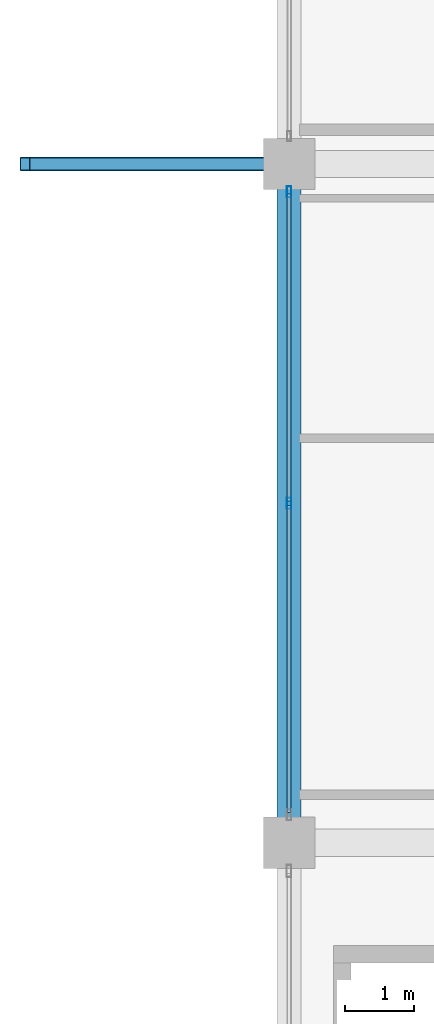
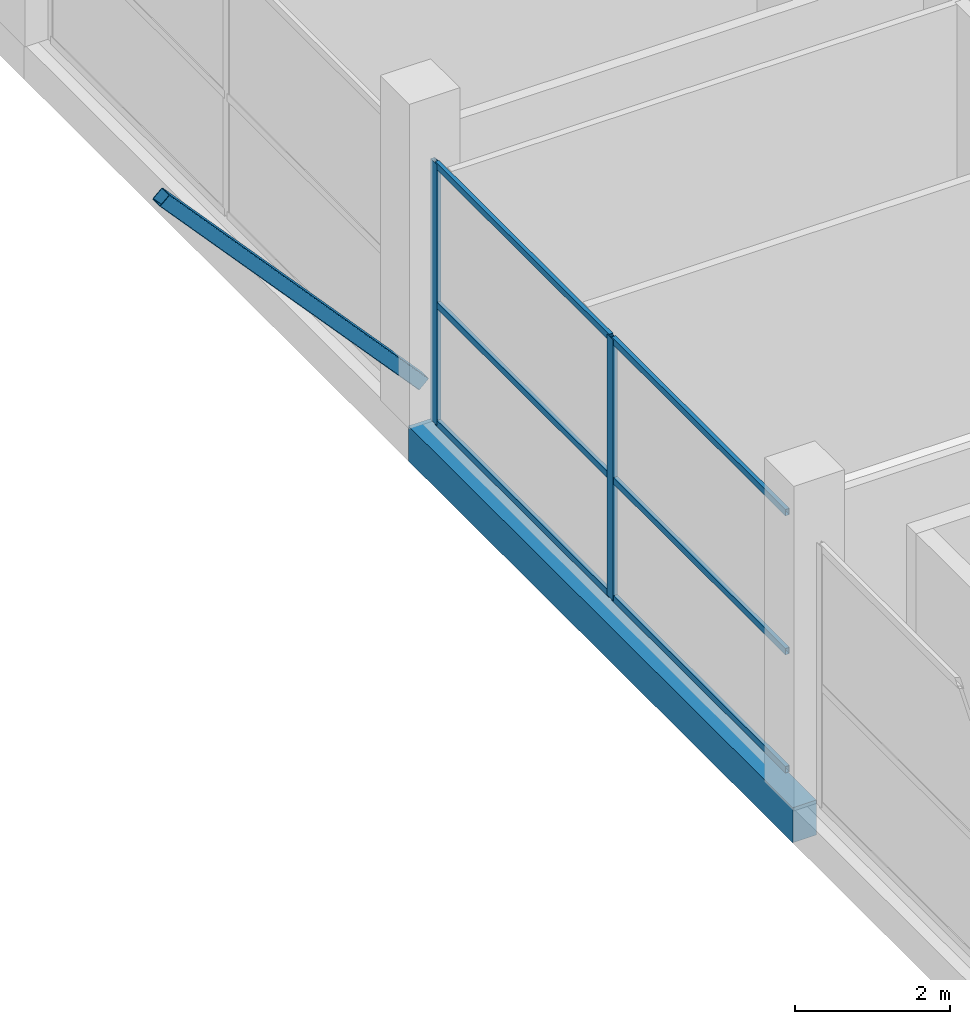
# One storey, part 19 of 67: 9 members, 1 beam, 1 element without a shape of its own.
"""IFC4 building model written with IfcOpenShell, lengths in metres."""

from ifc_helpers import new_model, si_unit, direction, frame, origin, origin_2d, place, context, subcontext, project, spatial, rectangle, hollow_rectangle, extrude, material, layer, layer_set, material_profile, profile_set, type_object, element, aggregate, save


model = new_model("IFC4")

# Units and contexts
model_context = context("Model", 3, precision=1e-05, world=origin(), true_north=direction((0.0, 1.0)))
body_context = subcontext(model_context, "Body", "Model", "MODEL_VIEW")
ifc_project = project(units=[si_unit("LENGTHUNIT", "METRE"), si_unit("AREAUNIT", "SQUARE_METRE"), si_unit("VOLUMEUNIT", "CUBIC_METRE"), si_unit("PLANEANGLEUNIT", "RADIAN"), si_unit("MASSUNIT", "GRAM", prefix="KILO")], contexts=[model_context])

# Site, building, storey
site_placement = place(None, origin())
site = spatial("IfcSite", under=ifc_project, at=site_placement, CompositionType="ELEMENT")
building_placement = place(site_placement, origin())
building = spatial("IfcBuilding", under=site, at=building_placement, Name="Sillaruma Civic Art Gallery", CompositionType="ELEMENT")
storey_placement = place(building_placement, frame((0.0, 0.0, 46.919921875)))
storey = spatial("IfcBuildingStorey", under=building, at=storey_placement, Name="L09", CompositionType="ELEMENT", Elevation=46.919921875)

# Beam
ifc_material_1 = material(Name="Concrete H35 (35 MPa)", Category="concrete")
ifc_material_profile_1 = material_profile(ifc_material_1, rectangle(XDim=0.35009765625, YDim=0.550048828125, at=origin_2d()), Name="RCB350x550")
ifc_profile_set_1 = profile_set([ifc_material_profile_1], Name="Concrete H35 (35 MPa)")
beam_type = type_object("IfcBeamType", Name="BM-SPANDREL-RCB350x550", PredefinedType="SPANDREL", material=ifc_profile_set_1)
beam_placement = place(storey_placement, frame((62.0, 49.5, -0.52490234375), z_axis=(0.0, 1.0, 0.0), x_axis=(-1.0, 0.0, 0.0)))
element("IfcBeam", 1, at=beam_placement, inside=storey, type_object=beam_type, Name="Beam BS-04 (L08:F:6-7)", PredefinedType="SPANDREL", context=body_context, shape_type="SweptSolid", body=[
    extrude(rectangle(XDim=0.35009765625, YDim=0.550048828125, at=origin_2d()), origin(), (0.0, 0.0, 1.0), 9.89990234375),
])

# Curtain wall, members
ifc_material_2 = material(Name="Thermally Broken Extruded Aluminium 6063-T6", Category="aluminium")
ifc_layer = layer(ifc_material_2, 0.159912109375, Name="Thermally Broken Extruded Aluminium 6063-T6")
ifc_layer_set = layer_set([ifc_layer], Name="Thermally Broken Extruded Aluminium 6063-T6")
curtain_wall_type = type_object("IfcCurtainWallType", Name="CW-UNI-62", PredefinedType="NOTDEFINED", material=ifc_layer_set)
curtain_wall_placement = place(storey_placement, origin())
curtain_wall = element("IfcCurtainWall", 2, at=curtain_wall_placement, inside=storey, type_object=curtain_wall_type, Name="Unitised Curtain Wall CW-62 (CW-L09-WBW-4)", PredefinedType="NOTDEFINED")
ifc_material_profile_2 = material_profile(ifc_material_2, hollow_rectangle(XDim=0.06494140625, YDim=0.159912109375, WallThickness=0.00390625, at=origin_2d()), Name="CWM65x160")
ifc_profile_set_2 = profile_set([ifc_material_profile_2], Name="Thermally Broken Extruded Aluminium 6063-T6")
member_type_1 = type_object("IfcMemberType", Name="MEM-MUL-CWM65x160", PredefinedType="MULLION", material=ifc_profile_set_2)
member_1_placement = place(storey_placement, frame((62.0, 54.449951171875, 0.0), z_axis=(0.0, 0.0, 1.0), x_axis=(-1.0, 0.0, 0.0)))
member_1 = element("IfcMember", 3, at=member_1_placement, type_object=member_type_1, Name="CW-62 mullion 2", PredefinedType="MULLION", context=body_context, shape_type="SweptSolid", body=[
    extrude(hollow_rectangle(XDim=0.06494140625, YDim=0.159912109375, WallThickness=0.00390625, at=origin_2d()), origin(), (0.0, 0.0, 1.0), 4.10009765625),
])
member_2_placement = place(storey_placement, frame((62.0, 58.992431640625, 0.0), z_axis=(0.0, 0.0, 1.0), x_axis=(-1.0, 0.0, 0.0)))
member_2 = element("IfcMember", 4, at=member_2_placement, type_object=member_type_1, Name="CW-62 mullion 3", PredefinedType="MULLION", context=body_context, shape_type="SweptSolid", body=[
    extrude(hollow_rectangle(XDim=0.06494140625, YDim=0.159912109375, WallThickness=0.00390625, at=origin_2d()), origin(), (0.0, 0.0, 1.0), 4.10009765625),
])

# Member
ifc_material_3 = material(Name="Structural Steel ASTM A500 Gr.C", Category="steel")
ifc_material_profile_3 = material_profile(ifc_material_3, hollow_rectangle(XDim=0.199951171875, YDim=0.199951171875, WallThickness=0.010009765625, InnerFilletRadius=0.010009765625, OuterFilletRadius=0.02001953125, at=origin_2d()), Name="HSS200x200x10")
ifc_profile_set_3 = profile_set([ifc_material_profile_3], Name="Structural Steel ASTM A500 Gr.C")
member_type_2 = type_object("IfcMemberType", Name="MEM-PROW-BRACE", PredefinedType="BRACE", material=ifc_profile_set_3)
member_3_placement = place(storey_placement, frame((62.0, 59.39990234375, 0.400146484375), z_axis=(-0.672736490848, 0.0, 0.73988216216), x_axis=(0.0, -1.0, 0.0)))
element("IfcMember", 5, at=member_3_placement, inside=storey, type_object=member_type_2, Name="Deconstructivist Prow Diagonal Brace (PRW-L10-W-FLR-S)", PredefinedType="BRACE", context=body_context, shape_type="SweptSolid", body=[
    extrude(hollow_rectangle(XDim=0.199951171875, YDim=0.199951171875, WallThickness=0.010009765625, InnerFilletRadius=0.010009765625, OuterFilletRadius=0.02001953125, at=origin_2d()), origin(), (0.0, 0.0, 1.0), 5.72314453125),
])

ifc_material_profile_4 = material_profile(ifc_material_2, hollow_rectangle(XDim=0.06005859375, YDim=0.10009765625, WallThickness=0.003173828125, at=origin_2d()), Name="CWT60x100")
ifc_profile_set_4 = profile_set([ifc_material_profile_4], Name="Thermally Broken Extruded Aluminium 6063-T6")
member_type_3 = type_object("IfcMemberType", Name="MEM-TRN-CWT60x100", PredefinedType="USERDEFINED", material=ifc_profile_set_4)
member_4_placement = place(storey_placement, frame((62.0, 49.93994140625, 0.030029296875), z_axis=(0.0, 1.0, 0.0), x_axis=(-1.0, 0.0, 0.0)))
member_4 = element("IfcMember", 6, at=member_4_placement, type_object=member_type_3, Name="CW-62 transom 1.1", ObjectType="TRANSOM", PredefinedType="USERDEFINED", context=body_context, shape_type="SweptSolid", body=[
    extrude(hollow_rectangle(XDim=0.06005859375, YDim=0.10009765625, WallThickness=0.003173828125, at=origin_2d()), origin(), (0.0, 0.0, 1.0), 4.4775390625),
])

member_5_placement = place(storey_placement, frame((62.0, 49.93994140625, 1.885986328125), z_axis=(0.0, 1.0, 0.0), x_axis=(-1.0, 0.0, 0.0)))
member_5 = element("IfcMember", 7, at=member_5_placement, type_object=member_type_3, Name="CW-62 transom 1.2", ObjectType="TRANSOM", PredefinedType="USERDEFINED", context=body_context, shape_type="SweptSolid", body=[
    extrude(hollow_rectangle(XDim=0.06005859375, YDim=0.10009765625, WallThickness=0.003173828125, at=origin_2d()), origin(), (0.0, 0.0, 1.0), 4.4775390625),
])

member_6_placement = place(storey_placement, frame((62.0, 49.93994140625, 4.070068359375), z_axis=(0.0, 1.0, 0.0), x_axis=(-1.0, 0.0, 0.0)))
member_6 = element("IfcMember", 8, at=member_6_placement, type_object=member_type_3, Name="CW-62 transom 1.3", ObjectType="TRANSOM", PredefinedType="USERDEFINED", context=body_context, shape_type="SweptSolid", body=[
    extrude(hollow_rectangle(XDim=0.06005859375, YDim=0.10009765625, WallThickness=0.003173828125, at=origin_2d()), origin(), (0.0, 0.0, 1.0), 4.4775390625),
])

member_7_placement = place(storey_placement, frame((62.0, 54.482421875, 0.030029296875), z_axis=(0.0, 1.0, 0.0), x_axis=(-1.0, 0.0, 0.0)))
member_7 = element("IfcMember", 9, at=member_7_placement, type_object=member_type_3, Name="CW-62 transom 2.1", ObjectType="TRANSOM", PredefinedType="USERDEFINED", context=body_context, shape_type="SweptSolid", body=[
    extrude(hollow_rectangle(XDim=0.06005859375, YDim=0.10009765625, WallThickness=0.003173828125, at=origin_2d()), origin(), (0.0, 0.0, 1.0), 4.4775390625),
])

member_8_placement = place(storey_placement, frame((62.0, 54.482421875, 1.885986328125), z_axis=(0.0, 1.0, 0.0), x_axis=(-1.0, 0.0, 0.0)))
member_8 = element("IfcMember", 10, at=member_8_placement, type_object=member_type_3, Name="CW-62 transom 2.2", ObjectType="TRANSOM", PredefinedType="USERDEFINED", context=body_context, shape_type="SweptSolid", body=[
    extrude(hollow_rectangle(XDim=0.06005859375, YDim=0.10009765625, WallThickness=0.003173828125, at=origin_2d()), origin(), (0.0, 0.0, 1.0), 4.4775390625),
])

member_9_placement = place(storey_placement, frame((62.0, 54.482421875, 4.070068359375), z_axis=(0.0, 1.0, 0.0), x_axis=(-1.0, 0.0, 0.0)))
member_9 = element("IfcMember", 11, at=member_9_placement, type_object=member_type_3, Name="CW-62 transom 2.3", ObjectType="TRANSOM", PredefinedType="USERDEFINED", context=body_context, shape_type="SweptSolid", body=[
    extrude(hollow_rectangle(XDim=0.06005859375, YDim=0.10009765625, WallThickness=0.003173828125, at=origin_2d()), origin(), (0.0, 0.0, 1.0), 4.4775390625),
])

aggregate(curtain_wall, [member_1, member_2, member_4, member_5, member_6, member_7, member_8, member_9])

save(model, "model.ifc")
